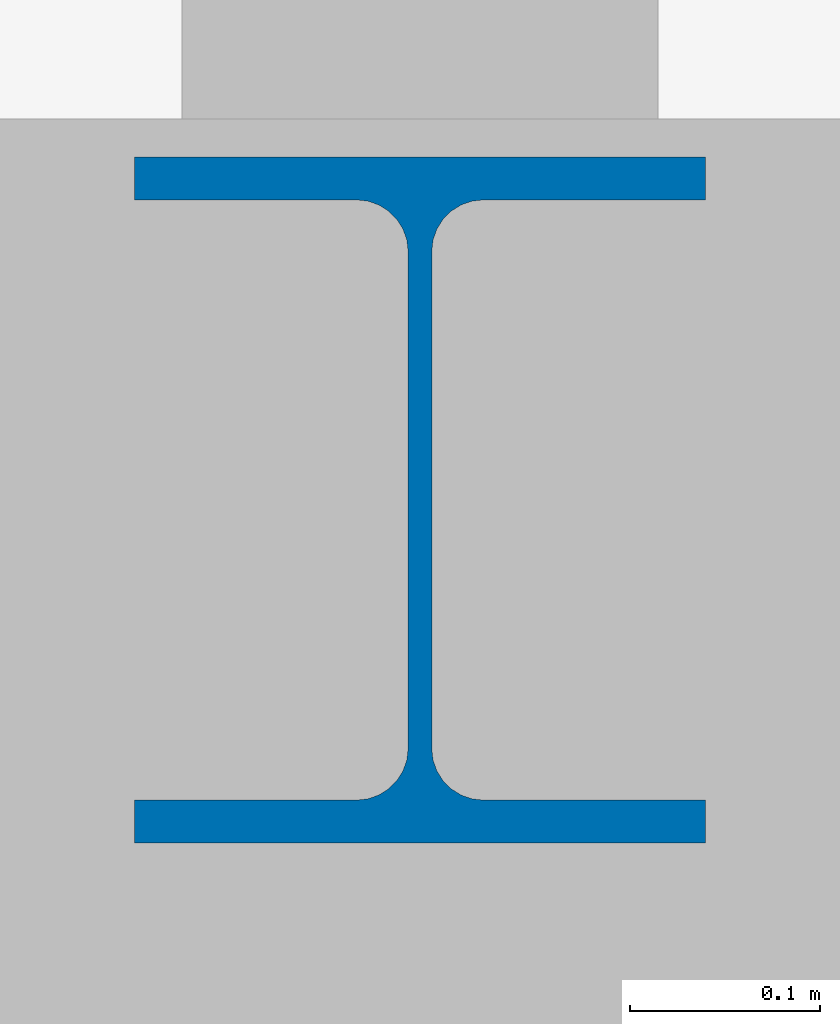
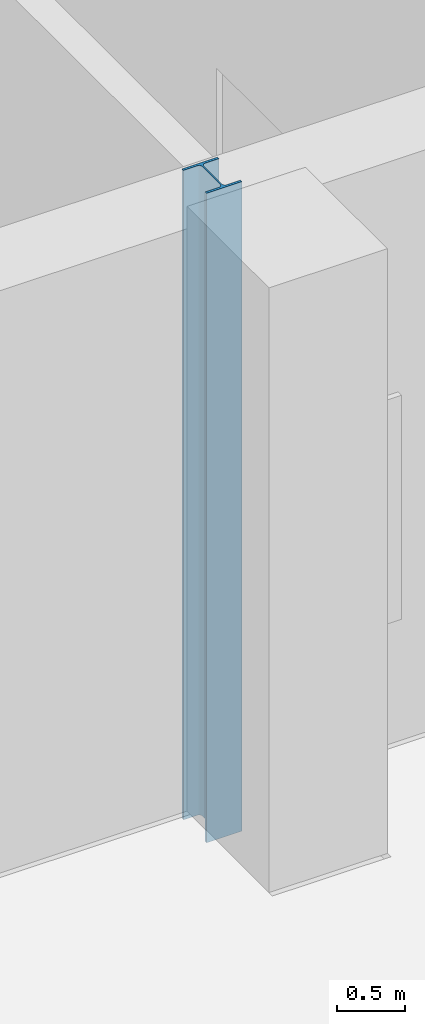
# One storey, part 24 of 168: 1 column.
"""IFC4 building model written with IfcOpenShell, lengths in metres."""

from ifc_helpers import new_model, si_unit, direction, frame, origin, origin_2d, place, context, subcontext, project, spatial, i_section, extrude, material, material_profile, profile_set, type_object, element, save


model = new_model("IFC4")

# Units and contexts
model_context = context("Model", 3, precision=1e-05, world=origin(), true_north=direction((0.0, 1.0)))
body_context = subcontext(model_context, "Body", "Model", "MODEL_VIEW")
ifc_project = project(units=[si_unit("LENGTHUNIT", "METRE"), si_unit("AREAUNIT", "SQUARE_METRE"), si_unit("VOLUMEUNIT", "CUBIC_METRE"), si_unit("PLANEANGLEUNIT", "RADIAN"), si_unit("MASSUNIT", "GRAM", prefix="KILO")], contexts=[model_context])

# Site, building, storey
site_placement = place(None, origin())
site = spatial("IfcSite", under=ifc_project, at=site_placement, CompositionType="ELEMENT")
building_placement = place(site_placement, origin())
building = spatial("IfcBuilding", under=site, at=building_placement, Name="Golden Quay Civic Hall", CompositionType="ELEMENT")
storey_placement = place(building_placement, origin())
storey = spatial("IfcBuildingStorey", under=building, at=storey_placement, Name="L00", CompositionType="ELEMENT", Elevation=0.0)

# Column
ifc_material = material(Name="Steel S355", Category="steel")
ifc_material_profile = material_profile(ifc_material, i_section(OverallWidth=0.300048828125, OverallDepth=0.360107421875, WebThickness=0.012451171875, FlangeThickness=0.0224609375, FilletRadius=0.027099609375, at=origin_2d()), Name="HEB 360")
ifc_profile_set = profile_set([ifc_material_profile], Name="Steel S355")
column_type = type_object("IfcColumnType", Name="Steel column HEB 360", PredefinedType="COLUMN", material=ifc_profile_set)
column_placement = place(storey_placement, frame((126.0, 63.0, -0.60009765625), z_axis=(0.0, 0.0, 1.0), x_axis=(1.0, 0.0, 0.0)))
element("IfcColumn", 1, at=column_placement, inside=storey, type_object=column_type, Name="L00 column 126/63", PredefinedType="COLUMN", context=body_context, shape_type="SweptSolid", body=[
    extrude(i_section(OverallWidth=0.300048828125, OverallDepth=0.360107421875, WebThickness=0.012451171875, FlangeThickness=0.0224609375, FilletRadius=0.027099609375, at=origin_2d()), origin(), (0.0, 0.0, 1.0), 5.800048828125),
])

save(model, "model.ifc")
